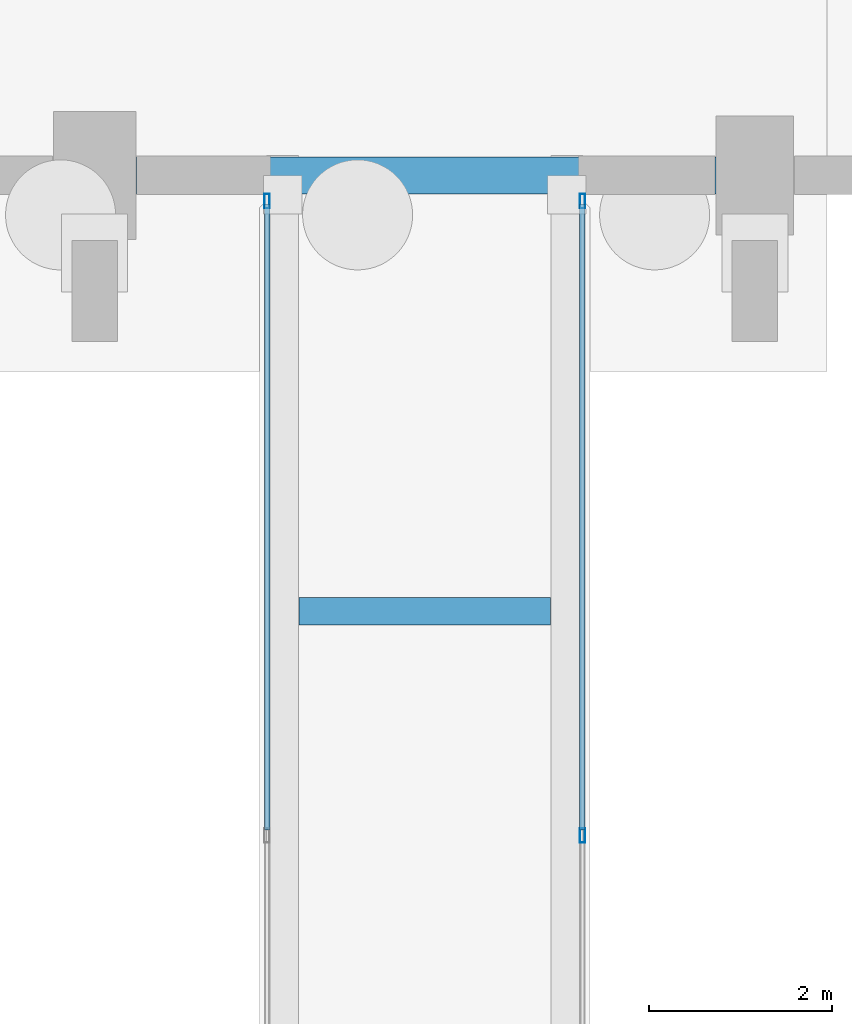
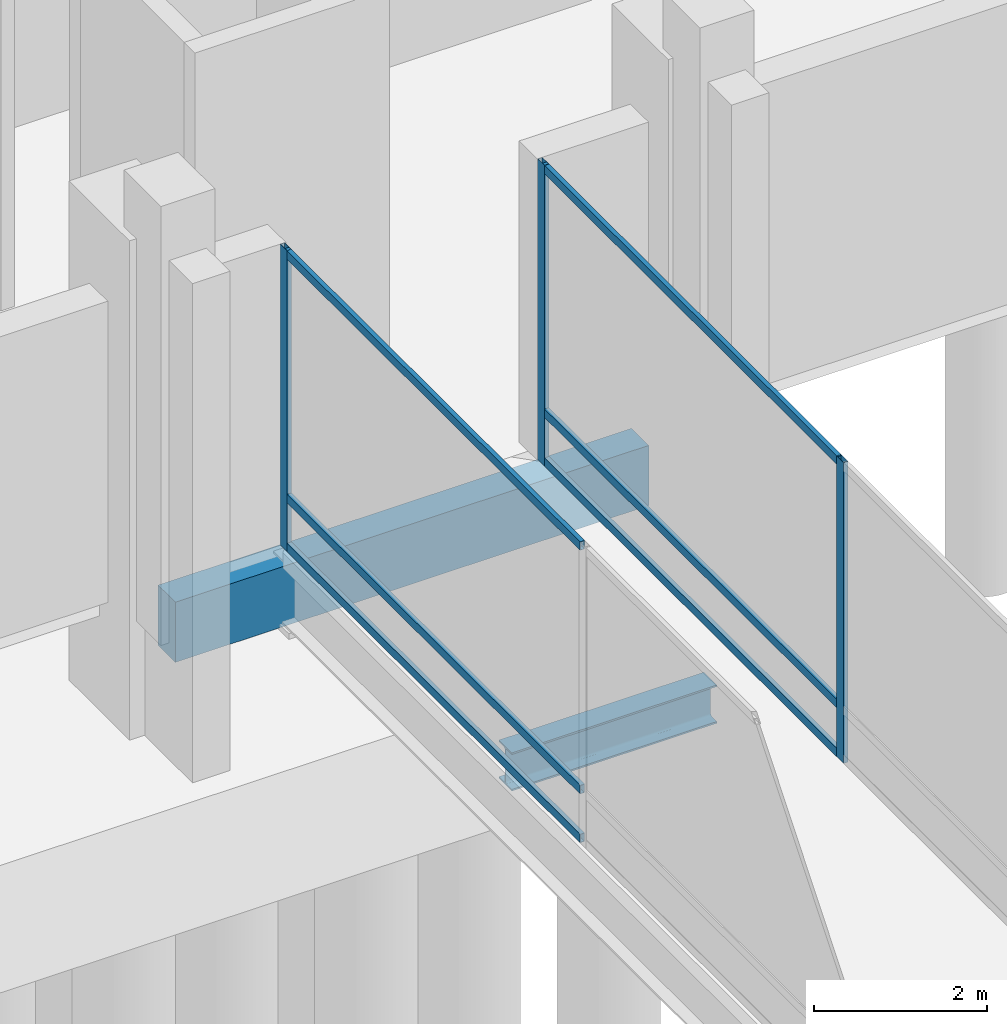
# One storey, part 38 of 192: 9 members, 2 beams, 2 elements without a shape of their own.
"""IFC4 building model written with IfcOpenShell, lengths in metres."""

from ifc_helpers import new_model, si_unit, direction, frame, origin, origin_2d, place, context, subcontext, project, spatial, rectangle, hollow_rectangle, i_section, extrude, material, material_profile, profile_set, type_object, element, aggregate, save


model = new_model("IFC4")

# Units and contexts
model_context = context("Model", 3, precision=1e-05, world=origin(), true_north=direction((0.0, 1.0)))
body_context = subcontext(model_context, "Body", "Model", "MODEL_VIEW")
ifc_project = project(units=[si_unit("LENGTHUNIT", "METRE"), si_unit("AREAUNIT", "SQUARE_METRE"), si_unit("VOLUMEUNIT", "CUBIC_METRE"), si_unit("PLANEANGLEUNIT", "RADIAN"), si_unit("MASSUNIT", "GRAM", prefix="KILO")], contexts=[model_context])

# Site, building, storey
site_placement = place(None, origin())
site = spatial("IfcSite", under=ifc_project, at=site_placement, CompositionType="ELEMENT")
building_placement = place(site_placement, origin())
building = spatial("IfcBuilding", under=site, at=building_placement, Name="Cendralis Lancet Convention Centre", CompositionType="ELEMENT")
storey_placement = place(building_placement, origin())
storey = spatial("IfcBuildingStorey", under=building, at=storey_placement, Name="L00", CompositionType="ELEMENT", Elevation=0.0)

# Curtain wall, member
ifc_material_1 = material(Name="Anodised bronze architectural aluminium", Category="aluminium")
curtain_wall_type = type_object("IfcCurtainWallType", Name="ARC-CW-BR01", PredefinedType="USERDEFINED", material=ifc_material_1)
curtain_wall_1_placement = place(storey_placement, origin())
curtain_wall_1 = element("IfcCurtainWall", 1, at=curtain_wall_1_placement, inside=storey, type_object=curtain_wall_type, Name="L00 Curtain Wall CW-BR1 #207", ObjectType="CURTAIN WALL", PredefinedType="USERDEFINED")
ifc_material_profile_1 = material_profile(ifc_material_1, hollow_rectangle(XDim=0.06005859375, YDim=0.159912109375, WallThickness=0.00390625, at=origin_2d()), Name="AL-MULL 60x160x4.0")
ifc_profile_set_1 = profile_set([ifc_material_profile_1], Name="Anodised bronze architectural aluminium")
member_type_1 = type_object("IfcMemberType", Name="ARC-CW-ML01", PredefinedType="MULLION", material=ifc_profile_set_1)
member_1_placement = place(storey_placement, frame((16.280029296875, 50.1201171875, 0.0), z_axis=(0.0, 0.0, 1.0), x_axis=(1.0, 0.0, 0.0)))
member_1 = element("IfcMember", 2, at=member_1_placement, type_object=member_type_1, Name="Mullion CW2-CW-BR1-L00-207-M2", PredefinedType="MULLION", context=body_context, shape_type="SweptSolid", body=[
    extrude(hollow_rectangle(XDim=0.06005859375, YDim=0.159912109375, WallThickness=0.00390625, at=origin_2d()), origin(), (0.0, 0.0, 1.0), 4.25),
])

# Curtain wall, members
curtain_wall_2_placement = place(storey_placement, origin())
curtain_wall_2 = element("IfcCurtainWall", 3, at=curtain_wall_2_placement, inside=storey, type_object=curtain_wall_type, Name="L00 Curtain Wall CW-BR1 #208", ObjectType="CURTAIN WALL", PredefinedType="USERDEFINED")
member_2_placement = place(storey_placement, frame((19.719970703125, 43.199951171875, 0.0), z_axis=(0.0, 0.0, 1.0), x_axis=(1.0, 0.0, 0.0)))
member_2 = element("IfcMember", 4, at=member_2_placement, type_object=member_type_1, Name="Mullion CW2-CW-BR1-L00-208-M1", PredefinedType="MULLION", context=body_context, shape_type="SweptSolid", body=[
    extrude(hollow_rectangle(XDim=0.06005859375, YDim=0.159912109375, WallThickness=0.00390625, at=origin_2d()), origin(), (0.0, 0.0, 1.0), 4.25),
])
member_3_placement = place(storey_placement, frame((19.719970703125, 50.1201171875, 0.0), z_axis=(0.0, 0.0, 1.0), x_axis=(1.0, 0.0, 0.0)))
member_3 = element("IfcMember", 5, at=member_3_placement, type_object=member_type_1, Name="Mullion CW2-CW-BR1-L00-208-M2", PredefinedType="MULLION", context=body_context, shape_type="SweptSolid", body=[
    extrude(hollow_rectangle(XDim=0.06005859375, YDim=0.159912109375, WallThickness=0.00390625, at=origin_2d()), origin(), (0.0, 0.0, 1.0), 4.25),
])

# Member
ifc_material_profile_2 = material_profile(ifc_material_1, hollow_rectangle(XDim=0.06005859375, YDim=0.1201171875, WallThickness=0.00390625, at=origin_2d()), Name="AL-TRAN 60x120x4.0")
ifc_profile_set_2 = profile_set([ifc_material_profile_2], Name="Anodised bronze architectural aluminium")
member_type_2 = type_object("IfcMemberType", Name="ARC-CW-TR01", PredefinedType="USERDEFINED", material=ifc_profile_set_2)
member_4_placement = place(storey_placement, frame((16.280029296875, 43.260009765625, 0.06005859375), z_axis=(0.0, 1.0, 0.0), x_axis=(-1.0, 0.0, 0.0)))
member_4 = element("IfcMember", 6, at=member_4_placement, type_object=member_type_2, Name="Transom CW2-CW-BR1-L00-207-T1BOT", ObjectType="TRANSOM", PredefinedType="USERDEFINED", context=body_context, shape_type="SweptSolid", body=[
    extrude(hollow_rectangle(XDim=0.06005859375, YDim=0.1201171875, WallThickness=0.00390625, at=origin_2d()), origin(), (0.0, 0.0, 1.0), 6.830078125),
])

member_5_placement = place(storey_placement, frame((16.280029296875, 43.260009765625, 0.75), z_axis=(0.0, 1.0, 0.0), x_axis=(-1.0, 0.0, 0.0)))
member_5 = element("IfcMember", 7, at=member_5_placement, type_object=member_type_2, Name="Transom CW2-CW-BR1-L00-207-T1MID", ObjectType="TRANSOM", PredefinedType="USERDEFINED", context=body_context, shape_type="SweptSolid", body=[
    extrude(hollow_rectangle(XDim=0.06005859375, YDim=0.1201171875, WallThickness=0.00390625, at=origin_2d()), origin(), (0.0, 0.0, 1.0), 6.830078125),
])

member_6_placement = place(storey_placement, frame((16.280029296875, 43.260009765625, 4.18994140625), z_axis=(0.0, 1.0, 0.0), x_axis=(-1.0, 0.0, 0.0)))
member_6 = element("IfcMember", 8, at=member_6_placement, type_object=member_type_2, Name="Transom CW2-CW-BR1-L00-207-T1TOP", ObjectType="TRANSOM", PredefinedType="USERDEFINED", context=body_context, shape_type="SweptSolid", body=[
    extrude(hollow_rectangle(XDim=0.06005859375, YDim=0.1201171875, WallThickness=0.00390625, at=origin_2d()), origin(), (0.0, 0.0, 1.0), 6.830078125),
])

aggregate(curtain_wall_1, [member_1, member_4, member_5, member_6])

member_7_placement = place(storey_placement, frame((19.719970703125, 43.260009765625, 0.06005859375), z_axis=(0.0, 1.0, 0.0), x_axis=(-1.0, 0.0, 0.0)))
member_7 = element("IfcMember", 9, at=member_7_placement, type_object=member_type_2, Name="Transom CW2-CW-BR1-L00-208-T1BOT", ObjectType="TRANSOM", PredefinedType="USERDEFINED", context=body_context, shape_type="SweptSolid", body=[
    extrude(hollow_rectangle(XDim=0.06005859375, YDim=0.1201171875, WallThickness=0.00390625, at=origin_2d()), origin(), (0.0, 0.0, 1.0), 6.830078125),
])

member_8_placement = place(storey_placement, frame((19.719970703125, 43.260009765625, 0.75), z_axis=(0.0, 1.0, 0.0), x_axis=(-1.0, 0.0, 0.0)))
member_8 = element("IfcMember", 10, at=member_8_placement, type_object=member_type_2, Name="Transom CW2-CW-BR1-L00-208-T1MID", ObjectType="TRANSOM", PredefinedType="USERDEFINED", context=body_context, shape_type="SweptSolid", body=[
    extrude(hollow_rectangle(XDim=0.06005859375, YDim=0.1201171875, WallThickness=0.00390625, at=origin_2d()), origin(), (0.0, 0.0, 1.0), 6.830078125),
])

member_9_placement = place(storey_placement, frame((19.719970703125, 43.260009765625, 4.18994140625), z_axis=(0.0, 1.0, 0.0), x_axis=(-1.0, 0.0, 0.0)))
member_9 = element("IfcMember", 11, at=member_9_placement, type_object=member_type_2, Name="Transom CW2-CW-BR1-L00-208-T1TOP", ObjectType="TRANSOM", PredefinedType="USERDEFINED", context=body_context, shape_type="SweptSolid", body=[
    extrude(hollow_rectangle(XDim=0.06005859375, YDim=0.1201171875, WallThickness=0.00390625, at=origin_2d()), origin(), (0.0, 0.0, 1.0), 6.830078125),
])

aggregate(curtain_wall_2, [member_2, member_3, member_7, member_8, member_9])

# Beams
ifc_material_2 = material(Name="Steel S355", Category="steel")
ifc_material_profile_3 = material_profile(ifc_material_2, i_section(OverallWidth=0.300048828125, OverallDepth=0.5400390625, WebThickness=0.012451171875, FlangeThickness=0.02392578125, FilletRadius=0.027099609375, at=origin_2d()), Name="HEA 550")
ifc_profile_set_3 = profile_set([ifc_material_profile_3], Name="Steel S355")
beam_type_1 = type_object("IfcBeamType", Name="STR-BM-SG11", PredefinedType="BEAM", material=ifc_profile_set_3)
beam_1_placement = place(storey_placement, frame((16.6298828125, 45.64794921875, -0.489990234375), z_axis=(1.0, 0.0, 0.0), x_axis=(0.0, 1.0, 0.0)))
element("IfcBeam", 12, at=beam_1_placement, inside=storey, type_object=beam_type_1, Name="L00 Beam SG11 #1919", PredefinedType="BEAM", context=body_context, shape_type="SweptSolid", body=[
    extrude(i_section(OverallWidth=0.300048828125, OverallDepth=0.5400390625, WebThickness=0.012451171875, FlangeThickness=0.02392578125, FilletRadius=0.027099609375, at=origin_2d()), origin(), (0.0, 0.0, 1.0), 2.740234375),
])
ifc_material_3 = material(Name="Concrete G40 (C40/50)", Category="concrete")
ifc_material_profile_4 = material_profile(ifc_material_3, rectangle(XDim=0.39990234375, YDim=0.85009765625, at=origin_2d()), Name="RCB 400x850")
ifc_profile_set_4 = profile_set([ifc_material_profile_4], Name="Concrete G40 (C40/50)")
beam_type_2 = type_object("IfcBeamType", Name="STR-SP-SP02", PredefinedType="SPANDREL", material=ifc_profile_set_4)
beam_2_placement = place(storey_placement, frame((14.85009765625, 50.39990234375, -0.7451171875), z_axis=(1.0, 0.0, 0.0), x_axis=(0.0, 1.0, 0.0)))
element("IfcBeam", 13, at=beam_2_placement, inside=storey, type_object=beam_type_2, Name="L00 Beam SP02 #1307", PredefinedType="SPANDREL", context=body_context, shape_type="SweptSolid", body=[
    extrude(rectangle(XDim=0.39990234375, YDim=0.85009765625, at=origin_2d()), origin(), (0.0, 0.0, 1.0), 6.324951171875),
])

save(model, "model.ifc")
